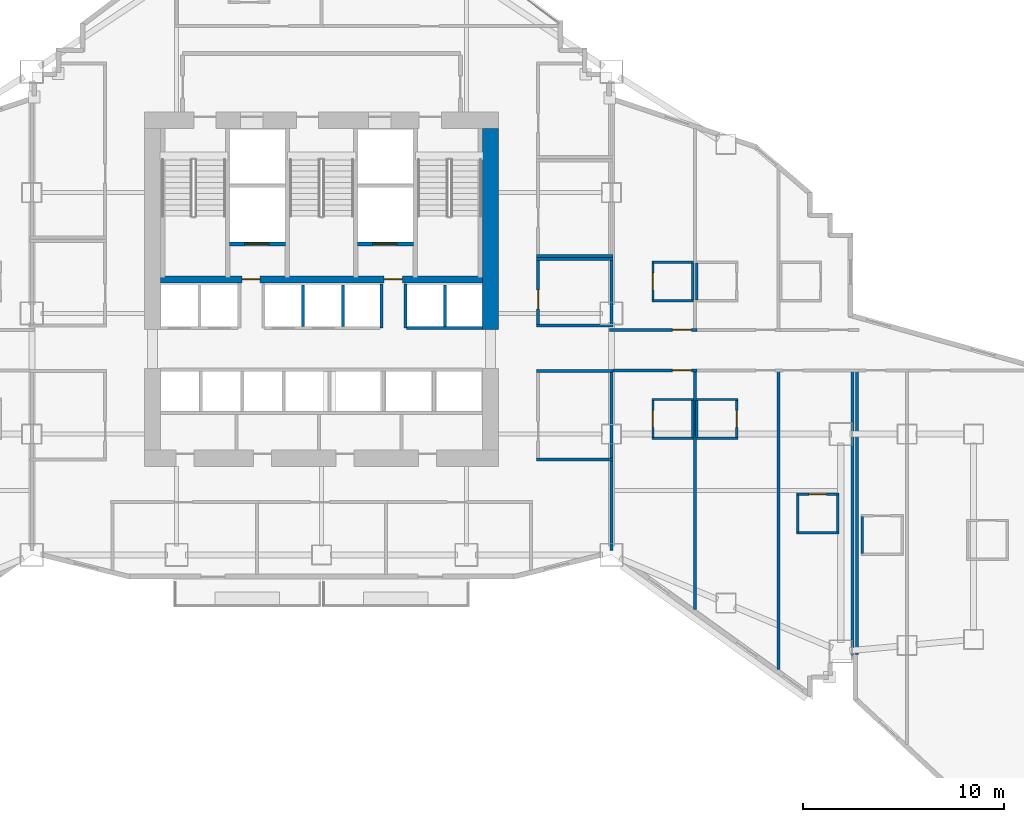
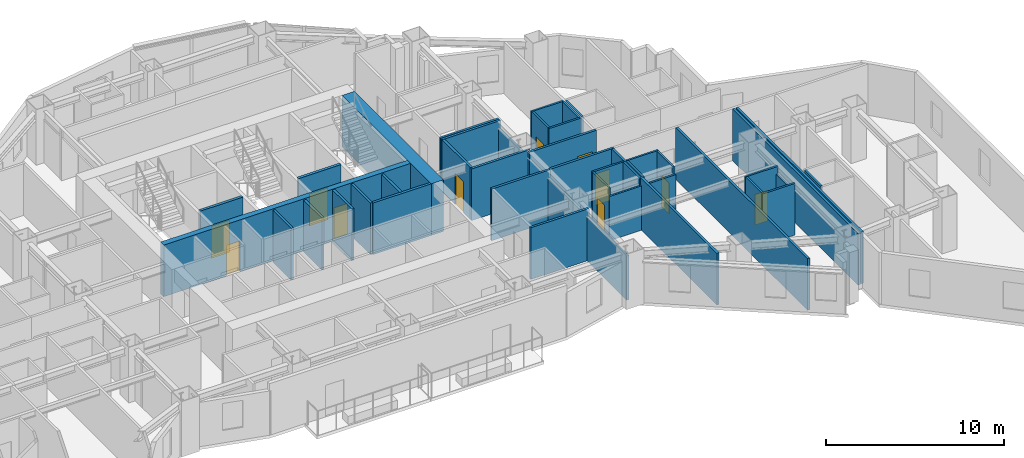
# One storey, part 10 of 16: 43 walls, 11 doors, 11 openings.
"""IFC4 building model written with IfcOpenShell, lengths in metres."""

from ifc_helpers import new_model, si_unit, direction, frame, frame_2d, origin, place, context, subcontext, project, spatial, rectangle, extrude, material, layer, layer_set, type_object, element, fill, save


model = new_model("IFC4")

# Units and contexts
model_context = context("Model", 3, precision=1e-05, world=origin(), true_north=direction((0.0, 1.0)))
body_context = subcontext(model_context, "Body", "Model", "MODEL_VIEW")
ifc_project = project(units=[si_unit("LENGTHUNIT", "METRE"), si_unit("AREAUNIT", "SQUARE_METRE"), si_unit("VOLUMEUNIT", "CUBIC_METRE"), si_unit("PLANEANGLEUNIT", "RADIAN"), si_unit("MASSUNIT", "GRAM", prefix="KILO")], contexts=[model_context])

# Site, building, storey
site_placement = place(None, origin())
site = spatial("IfcSite", under=ifc_project, at=site_placement, CompositionType="ELEMENT")
building_placement = place(site_placement, origin())
building = spatial("IfcBuilding", under=site, at=building_placement, Name="Haolan Belvedere Tower", CompositionType="ELEMENT")
storey_placement = place(building_placement, frame((0.0, 0.0, 85.60009765625)))
storey = spatial("IfcBuildingStorey", under=building, at=storey_placement, Name="L21", CompositionType="ELEMENT", Elevation=85.60009765625)

# Walls
ifc_material_1 = material(Name="Concrete C70/85", Category="concrete")
ifc_layer_1 = layer(ifc_material_1, 0.800048828125, Name="Concrete C70/85")
ifc_layer_set_1 = layer_set([ifc_layer_1], Name="Concrete C70/85")
wall_type_1 = type_object("IfcWallType", Name="WL-CORE-800", PredefinedType="SHEAR", material=ifc_layer_set_1)
wall_1_placement = place(storey_placement, frame((46.800048828125, 32.800048828125, 0.0), z_axis=(0.0, 0.0, 1.0), x_axis=(0.0, 1.0, 0.0)))
element("IfcWall", 1, at=wall_1_placement, inside=storey, type_object=wall_type_1, Name="L21 central core shear wall EN", PredefinedType="SHEAR", context=body_context, shape_type="SweptSolid", body=[
    extrude(rectangle(XDim=10.0, YDim=0.800048828125, at=frame_2d((5.0, 0.0))), origin(), (0.0, 0.0, 1.0), 3.539794921875),
])
ifc_material_2 = material(Name="Double gypsum acoustic stud partition", Category="masonry")
ifc_layer_2 = layer(ifc_material_2, 0.14990234375, Name="Double gypsum acoustic stud partition")
ifc_layer_set_2 = layer_set([ifc_layer_2], Name="Double gypsum acoustic stud partition")
wall_type_2 = type_object("IfcWallType", Name="WL-PART-150", PredefinedType="PARTITIONING", material=ifc_layer_set_2)
for number, where, z_axis, x_axis, name in (
    (2, (49.080078125, 36.300048828125, 0.0), (0.0, 0.0, 1.0), (1.0, 0.0, 0.0), "L21 interior partition IW-L21-AWC-N"),
    (3, (49.080078125, 33.0, 0.0), (0.0, 0.0, 1.0), (1.0, 0.0, 0.0), "L21 interior partition IW-L21-AWC-S"),
):
    element("IfcWall", number, at=place(storey_placement, frame(where, z_axis=z_axis, x_axis=x_axis)), inside=storey, type_object=wall_type_2, Name=name, PredefinedType="PARTITIONING", context=body_context, shape_type="SweptSolid", body=[
        extrude(rectangle(XDim=3.7998046875, YDim=0.14990234375, at=frame_2d((1.89990234375, 0.0))), origin(), (0.0, 0.0, 1.0), 3.539794921875),
    ])

# Wall, opening, door
wall_2_placement = place(storey_placement, frame((49.159912109375, 33.06005859375, 0.0), z_axis=(0.0, 0.0, 1.0), x_axis=(0.0, 1.0, 0.0)))
wall_2 = element("IfcWall", 4, at=wall_2_placement, inside=storey, type_object=wall_type_2, Name="L21 interior partition IW-L21-AWC-W", PredefinedType="PARTITIONING", context=body_context, shape_type="SweptSolid", body=[
    extrude(rectangle(XDim=3.179931640625, YDim=0.14990234375, at=frame_2d((1.58984375, 0.0))), origin(), (0.0, 0.0, 1.0), 3.539794921875),
])
opening_1_placement = place(wall_2_placement, frame((0.760009765625, 0.0, 0.0)))
opening_1 = element("IfcOpeningElement", 5, at=opening_1_placement, cuts=wall_2, Name="Opening ID-03", PredefinedType="OPENING", context=body_context, shape_type="SweptSolid", body=[
    extrude(rectangle(XDim=0.949951171875, YDim=2.1201171875, at=frame_2d((0.47509765625, 1.06005859375))), frame((0.0, 0.0849609375, 0.0), z_axis=(0.0, -1.0, 0.0), x_axis=(1.0, 0.0, 0.0)), (0.0, 0.0, 1.0), 0.169921875),
])
ifc_material_3 = material(Name="Painted solid-core timber", Category="wood")
door_type_1 = type_object("IfcDoorType", Name="DR-INT-950", OperationType="NOTDEFINED", PredefinedType="DOOR", material=ifc_material_3)
door_1_placement = place(opening_1_placement, origin())
door_1 = element("IfcDoor", 6, at=door_1_placement, inside=storey, type_object=door_type_1, Name="L21 door ID-L21-AWC", OperationType="SINGLE_SWING_LEFT", OverallHeight=2.1201171875, OverallWidth=0.949951171875, PredefinedType="DOOR", context=body_context, shape_type="SweptSolid", body=[
    extrude(rectangle(XDim=0.949951171875, YDim=2.1201171875, at=frame_2d((0.47509765625, 1.06005859375))), frame((0.0, 0.02490234375, 0.0), z_axis=(0.0, -1.0, 0.0), x_axis=(1.0, 0.0, 0.0)), (0.0, 0.0, 1.0), 0.050048828125),
])
fill(opening_1, door_1)

# Walls
wall_3_placement = place(storey_placement, frame((52.800048828125, 33.06005859375, 0.0), z_axis=(0.0, 0.0, 1.0), x_axis=(0.0, 1.0, 0.0)))
element("IfcWall", 7, at=wall_3_placement, inside=storey, type_object=wall_type_2, Name="L21 interior partition IW-L21-AWC-E", PredefinedType="PARTITIONING", context=body_context, shape_type="SweptSolid", body=[
    extrude(rectangle(XDim=3.179931640625, YDim=0.14990234375, at=frame_2d((1.58984375, 0.0))), origin(), (0.0, 0.0, 1.0), 3.036865234375),
])
for number, where, z_axis, x_axis, name in (
    (8, (49.080078125, 36.4599609375, 0.0), (0.0, 0.0, 1.0), (1.0, 0.0, 0.0), "L21 interior partition IW-L21-STY-S"),
    (9, (49.080078125, 30.72998046875, 0.0), (0.0, 0.0, 1.0), (1.0, 0.0, 0.0), "L21 interior partition IW-L21-PKTE-N"),
    (10, (49.080078125, 26.35009765625, 0.0), (0.0, 0.0, 1.0), (1.0, 0.0, 0.0), "L21 interior partition IW-L21-PKTE-S"),
):
    element("IfcWall", number, at=place(storey_placement, frame(where, z_axis=z_axis, x_axis=x_axis)), inside=storey, type_object=wall_type_2, Name=name, PredefinedType="PARTITIONING", context=body_context, shape_type="SweptSolid", body=[
        extrude(rectangle(XDim=3.7998046875, YDim=0.14990234375, at=frame_2d((1.89990234375, 0.0))), origin(), (0.0, 0.0, 1.0), 3.539794921875),
    ])
wall_4_placement = place(storey_placement, frame((52.800048828125, 26.409912109375, 0.0), z_axis=(0.0, 0.0, 1.0), x_axis=(0.0, 1.0, 0.0)))
element("IfcWall", 11, at=wall_4_placement, inside=storey, type_object=wall_type_2, Name="L21 interior partition IW-L21-PKTE-E", PredefinedType="PARTITIONING", context=body_context, shape_type="SweptSolid", body=[
    extrude(rectangle(XDim=4.260009765625, YDim=0.14990234375, at=frame_2d((2.1298828125, 0.0))), origin(), (0.0, 0.0, 1.0), 3.036865234375),
])

# Wall, opening, door
wall_5_placement = place(storey_placement, frame((52.699951171875, 32.780029296875, 0.0), z_axis=(0.0, 0.0, 1.0), x_axis=(1.0, 0.0, 0.0)))
wall_5 = element("IfcWall", 12, at=wall_5_placement, inside=storey, type_object=wall_type_2, Name="L21 interior partition IW-L21-T4N1-S", PredefinedType="PARTITIONING", context=body_context, shape_type="SweptSolid", body=[
    extrude(rectangle(XDim=4.35009765625, YDim=0.14990234375, at=frame_2d((2.175048828125, 0.0))), origin(), (0.0, 0.0, 1.0), 3.539794921875),
])
opening_2_placement = place(wall_5_placement, frame((3.1298828125, 0.0, 0.0)))
opening_2 = element("IfcOpeningElement", 13, at=opening_2_placement, cuts=wall_5, Name="Opening ID-02", PredefinedType="OPENING", context=body_context, shape_type="SweptSolid", body=[
    extrude(rectangle(XDim=0.949951171875, YDim=2.14990234375, at=frame_2d((0.47509765625, 1.074951171875))), frame((0.0, 0.0849609375, 0.0), z_axis=(0.0, -1.0, 0.0), x_axis=(1.0, 0.0, 0.0)), (0.0, 0.0, 1.0), 0.169921875),
])
ifc_material_4 = material(Name="Acoustic oak veneer fire-rated timber", Category="wood")
door_type_2 = type_object("IfcDoorType", Name="DR-GUEST-950", OperationType="NOTDEFINED", PredefinedType="DOOR", material=ifc_material_4)
door_2_placement = place(opening_2_placement, origin())
door_2 = element("IfcDoor", 14, at=door_2_placement, inside=storey, type_object=door_type_2, Name="L21 door ID-L21-T4N1-ENT", OperationType="SINGLE_SWING_LEFT", OverallHeight=2.14990234375, OverallWidth=0.949951171875, PredefinedType="DOOR", context=body_context, shape_type="SweptSolid", body=[
    extrude(rectangle(XDim=0.949951171875, YDim=2.14990234375, at=frame_2d((0.47509765625, 1.074951171875))), frame((0.0, 0.02490234375, 0.0), z_axis=(0.0, -1.0, 0.0), x_axis=(1.0, 0.0, 0.0)), (0.0, 0.0, 1.0), 0.050048828125),
])
fill(opening_2, door_2)

wall_6_placement = place(storey_placement, frame((52.882080078125, 30.77001953125, 0.0), z_axis=(0.0, 0.0, 1.0), x_axis=(1.0, 0.0, 0.0)))
wall_6 = element("IfcWall", 15, at=wall_6_placement, inside=storey, type_object=wall_type_2, Name="L21 interior partition IW-L21-T4S1-N", PredefinedType="PARTITIONING", context=body_context, shape_type="SweptSolid", body=[
    extrude(rectangle(XDim=4.16796875, YDim=0.14990234375, at=frame_2d((2.083984375, 0.0))), origin(), (0.0, 0.0, 1.0), 3.539794921875),
])
opening_3_placement = place(wall_6_placement, frame((3.904541015625, 0.0, 0.0), z_axis=(0.0, 0.0, 1.0), x_axis=(-1.0, 0.0, 0.0)))
opening_3 = element("IfcOpeningElement", 16, at=opening_3_placement, cuts=wall_6, Name="Opening ID-02", PredefinedType="OPENING", context=body_context, shape_type="SweptSolid", body=[
    extrude(rectangle(XDim=0.949951171875, YDim=2.14990234375, at=frame_2d((0.47509765625, 1.074951171875))), frame((0.0, 0.0849609375, 0.0), z_axis=(0.0, -1.0, 0.0), x_axis=(1.0, 0.0, 0.0)), (0.0, 0.0, 1.0), 0.169921875),
])
door_3_placement = place(opening_3_placement, origin())
door_3 = element("IfcDoor", 17, at=door_3_placement, inside=storey, type_object=door_type_2, Name="L21 door ID-L21-T4S1-ENT", OperationType="SINGLE_SWING_RIGHT", OverallHeight=2.14990234375, OverallWidth=0.949951171875, PredefinedType="DOOR", context=body_context, shape_type="SweptSolid", body=[
    extrude(rectangle(XDim=0.949951171875, YDim=2.14990234375, at=frame_2d((0.47509765625, 1.074951171875))), frame((0.0, 0.02490234375, 0.0), z_axis=(0.0, -1.0, 0.0), x_axis=(1.0, 0.0, 0.0)), (0.0, 0.0, 1.0), 0.050048828125),
])
fill(opening_3, door_3)

# Walls
wall_7_placement = place(storey_placement, frame((52.800048828125, 21.818603515625, 0.0), z_axis=(0.0, 0.0, 1.0), x_axis=(0.0, 1.0, 0.0)))
element("IfcWall", 18, at=wall_7_placement, inside=storey, type_object=wall_type_2, Name="L21 interior partition IW-L21-T4S1-W", PredefinedType="PARTITIONING", context=body_context, shape_type="SweptSolid", body=[
    extrude(rectangle(XDim=4.471435546875, YDim=0.14990234375, at=frame_2d((2.23583984375, 0.0))), origin(), (0.0, 0.0, 1.0), 3.036865234375),
])
wall_8_placement = place(storey_placement, frame((56.949951171875, 18.889404296875, 0.0), z_axis=(0.0, 0.0, 1.0), x_axis=(0.0, 1.0, 0.0)))
element("IfcWall", 19, at=wall_8_placement, inside=storey, type_object=wall_type_2, Name="L21 interior partition IW-L21-T4S1-E", PredefinedType="PARTITIONING", context=body_context, shape_type="SweptSolid", body=[
    extrude(rectangle(XDim=11.820556640625, YDim=0.14990234375, at=frame_2d((5.91015625, 0.0))), origin(), (0.0, 0.0, 1.0), 3.539794921875),
])
wall_9_placement = place(storey_placement, frame((61.10009765625, 15.9013671875, 0.0), z_axis=(0.0, 0.0, 1.0), x_axis=(0.0, 1.0, 0.0)))
element("IfcWall", 20, at=wall_9_placement, inside=storey, type_object=wall_type_2, Name="L21 interior partition IW-L21-T4S2-E", PredefinedType="PARTITIONING", context=body_context, shape_type="SweptSolid", body=[
    extrude(rectangle(XDim=14.80859375, YDim=0.14990234375, at=frame_2d((7.404296875, 0.0))), origin(), (0.0, 0.0, 1.0), 3.539794921875),
])
wall_10_placement = place(storey_placement, frame((65.0, 16.64208984375, 0.0), z_axis=(0.0, 0.0, 1.0), x_axis=(0.0, 1.0, 0.0)))
element("IfcWall", 21, at=wall_10_placement, inside=storey, type_object=wall_type_2, Name="L21 interior partition IW-L21-T4S3-E", PredefinedType="PARTITIONING", context=body_context, shape_type="SweptSolid", body=[
    extrude(rectangle(XDim=14.06787109375, YDim=0.14990234375, at=frame_2d((7.033935546875, 0.0))), origin(), (0.0, 0.0, 1.0), 3.539794921875),
])
wall_11_placement = place(storey_placement, frame((64.780029296875, 16.612060546875, 0.0), z_axis=(0.0, 0.0, 1.0), x_axis=(0.0, 1.0, 0.0)))
element("IfcWall", 22, at=wall_11_placement, inside=storey, type_object=wall_type_2, Name="L21 interior partition IW-L21-T5S1-W", PredefinedType="PARTITIONING", context=body_context, shape_type="SweptSolid", body=[
    extrude(rectangle(XDim=14.097900390625, YDim=0.14990234375, at=frame_2d((7.048828125, 0.0))), origin(), (0.0, 0.0, 1.0), 3.539794921875),
])
ifc_material_5 = material(Name="Gypsum fire shaftwall assembly", Category="masonry")
ifc_layer_3 = layer(ifc_material_5, 0.1650390625, Name="Gypsum fire shaftwall assembly")
ifc_layer_set_3 = layer_set([ifc_layer_3], Name="Gypsum fire shaftwall assembly")
wall_type_3 = type_object("IfcWallType", Name="WL-SHAFT-160", PredefinedType="SOLIDWALL", material=ifc_layer_set_3)
for number, where, z_axis, x_axis, name in (
    (23, (41.3701171875, 32.8798828125, 0.0), (0.0, 0.0, 1.0), (0.0, 1.0, 0.0), "L21 interior partition IW-L21-SVP-W-SV2"),
    (24, (42.570068359375, 32.8798828125, 0.0), (0.0, 0.0, 1.0), (0.0, 1.0, 0.0), "L21 interior partition IW-L21-SVP-E-SV2"),
):
    element("IfcWall", number, at=place(storey_placement, frame(where, z_axis=z_axis, x_axis=x_axis)), inside=storey, type_object=wall_type_3, Name=name, PredefinedType="SOLIDWALL", context=body_context, shape_type="SweptSolid", body=[
        extrude(rectangle(XDim=2.170166015625, YDim=0.14990234375, at=frame_2d((1.0849609375, 0.0))), origin(), (0.0, 0.0, 1.0), 3.539794921875),
    ])
wall_12_placement = place(storey_placement, frame((42.6298828125, 32.8798828125, 0.0), z_axis=(0.0, 0.0, 1.0), x_axis=(1.0, 0.0, 0.0)))
element("IfcWall", 25, at=wall_12_placement, inside=storey, type_object=wall_type_3, Name="L21 interior partition IW-L21-ROW-PN3", PredefinedType="SOLIDWALL", context=body_context, shape_type="SweptSolid", body=[
    extrude(rectangle(XDim=3.77001953125, YDim=0.159912109375, at=frame_2d((1.885009765625, 0.0))), origin(), (0.0, 0.0, 1.0), 3.539794921875),
])
for number, where, z_axis, x_axis, name in (
    (26, (37.47998046875, 32.949951171875, 0.0), (0.0, 0.0, 1.0), (0.0, 1.0, 0.0), "L21 interior partition IW-L21-DIV-PL3"),
    (27, (39.469970703125, 32.949951171875, 0.0), (0.0, 0.0, 1.0), (0.0, 1.0, 0.0), "L21 interior partition IW-L21-DIV-PL4"),
    (28, (44.530029296875, 32.949951171875, 0.0), (0.0, 0.0, 1.0), (0.0, 1.0, 0.0), "L21 interior partition IW-L21-DIV-PH2"),
):
    element("IfcWall", number, at=place(storey_placement, frame(where, z_axis=z_axis, x_axis=x_axis)), inside=storey, type_object=wall_type_3, Name=name, PredefinedType="SOLIDWALL", context=body_context, shape_type="SweptSolid", body=[
        extrude(rectangle(XDim=2.050048828125, YDim=0.14990234375, at=frame_2d((1.02490234375, 0.0))), origin(), (0.0, 0.0, 1.0), 3.539794921875),
    ])

# Wall, opening, door
ifc_material_6 = material(Name="Precast concrete C40/50", Category="concrete")
ifc_layer_4 = layer(ifc_material_6, 0.179931640625, Name="Precast concrete C40/50")
ifc_layer_set_4 = layer_set([ifc_layer_4], Name="Precast concrete C40/50")
wall_type_4 = type_object("IfcWallType", Name="WL-SHAFT-180", PredefinedType="SOLIDWALL", material=ifc_layer_set_4)
wall_13_placement = place(storey_placement, frame((33.8349609375, 37.050048828125, 0.0), z_axis=(0.0, 0.0, 1.0), x_axis=(1.0, 0.0, 0.0)))
wall_13 = element("IfcWall", 29, at=wall_13_placement, inside=storey, type_object=wall_type_4, Name="L21 interior partition IW-L21-SV1-S", PredefinedType="SOLIDWALL", context=body_context, shape_type="SweptSolid", body=[
    extrude(rectangle(XDim=2.77001953125, YDim=0.179931640625, at=frame_2d((1.385009765625, 0.0))), origin(), (0.0, 0.0, 1.0), 3.539794921875),
])
opening_4_placement = place(wall_13_placement, frame((1.945068359375, 0.0, 0.0), z_axis=(0.0, 0.0, 1.0), x_axis=(-1.0, 0.0, 0.0)))
opening_4 = element("IfcOpeningElement", 30, at=opening_4_placement, cuts=wall_13, Name="Opening LD-02", PredefinedType="OPENING", context=body_context, shape_type="SweptSolid", body=[
    extrude(rectangle(XDim=1.199951171875, YDim=2.199951171875, at=frame_2d((0.60009765625, 1.10009765625))), frame((0.0, 0.099853515625, 0.0), z_axis=(0.0, -1.0, 0.0), x_axis=(1.0, 0.0, 0.0)), (0.0, 0.0, 1.0), 0.199951171875),
])
ifc_material_7 = material(Name="Brushed champagne stainless steel 316L", Category="steel")
door_type_3 = type_object("IfcDoorType", Name="DR-LIFT-1200", OperationType="SLIDING_TO_RIGHT", PredefinedType="DOOR", material=ifc_material_7)
door_4_placement = place(opening_4_placement, origin())
door_4 = element("IfcDoor", 31, at=door_4_placement, inside=storey, type_object=door_type_3, Name="L21 door ID-L21-LD-SV1", OperationType="SLIDING_TO_RIGHT", OverallHeight=2.199951171875, OverallWidth=1.199951171875, PredefinedType="DOOR", context=body_context, shape_type="SweptSolid", body=[
    extrude(rectangle(XDim=1.199951171875, YDim=2.199951171875, at=frame_2d((0.60009765625, 1.10009765625))), frame((0.0, 0.02490234375, 0.0), z_axis=(0.0, -1.0, 0.0), x_axis=(1.0, 0.0, 0.0)), (0.0, 0.0, 1.0), 0.050048828125),
])
fill(opening_4, door_4)

wall_14_placement = place(storey_placement, frame((40.195068359375, 37.050048828125, 0.0), z_axis=(0.0, 0.0, 1.0), x_axis=(1.0, 0.0, 0.0)))
wall_14 = element("IfcWall", 32, at=wall_14_placement, inside=storey, type_object=wall_type_4, Name="L21 interior partition IW-L21-SV2-S", PredefinedType="SOLIDWALL", context=body_context, shape_type="SweptSolid", body=[
    extrude(rectangle(XDim=2.77001953125, YDim=0.179931640625, at=frame_2d((1.385009765625, 0.0))), origin(), (0.0, 0.0, 1.0), 3.539794921875),
])
opening_5_placement = place(wall_14_placement, frame((1.945068359375, 0.0, 0.0), z_axis=(0.0, 0.0, 1.0), x_axis=(-1.0, 0.0, 0.0)))
opening_5 = element("IfcOpeningElement", 33, at=opening_5_placement, cuts=wall_14, Name="Opening LD-02", PredefinedType="OPENING", context=body_context, shape_type="SweptSolid", body=[
    extrude(rectangle(XDim=1.199951171875, YDim=2.199951171875, at=frame_2d((0.60009765625, 1.10009765625))), frame((0.0, 0.099853515625, 0.0), z_axis=(0.0, -1.0, 0.0), x_axis=(1.0, 0.0, 0.0)), (0.0, 0.0, 1.0), 0.199951171875),
])
door_5_placement = place(opening_5_placement, origin())
door_5 = element("IfcDoor", 34, at=door_5_placement, inside=storey, type_object=door_type_3, Name="L21 door ID-L21-LD-SV2", OperationType="SLIDING_TO_RIGHT", OverallHeight=2.199951171875, OverallWidth=1.199951171875, PredefinedType="DOOR", context=body_context, shape_type="SweptSolid", body=[
    extrude(rectangle(XDim=1.199951171875, YDim=2.199951171875, at=frame_2d((0.60009765625, 1.10009765625))), frame((0.0, 0.02490234375, 0.0), z_axis=(0.0, -1.0, 0.0), x_axis=(1.0, 0.0, 0.0)), (0.0, 0.0, 1.0), 0.050048828125),
])
fill(opening_5, door_5)

# Wall, openings, doors
ifc_material_8 = material(Name="Concrete C60/75", Category="concrete")
ifc_layer_5 = layer(ifc_material_8, 0.360107421875, Name="Concrete C60/75")
ifc_layer_set_5 = layer_set([ifc_layer_5], Name="Concrete C60/75")
wall_type_5 = type_object("IfcWallType", Name="WL-WEB-350", PredefinedType="SHEAR", material=ifc_layer_set_5)
wall_15_placement = place(storey_placement, frame((30.39990234375, 35.2900390625, 0.0), z_axis=(0.0, 0.0, 1.0), x_axis=(1.0, 0.0, 0.0)))
wall_15 = element("IfcWall", 35, at=wall_15_placement, inside=storey, type_object=wall_type_5, Name="L21 central core internal shear web", PredefinedType="SHEAR", context=body_context, shape_type="SweptSolid", body=[
    extrude(rectangle(XDim=16.0, YDim=0.360107421875, at=frame_2d((8.0, 0.0))), origin(), (0.0, 0.0, 1.0), 3.539794921875),
])
opening_6_placement = place(wall_15_placement, frame((4.949951171875, 0.0, 0.0), z_axis=(0.0, 0.0, 1.0), x_axis=(-1.0, 0.0, 0.0)))
opening_6 = element("IfcOpeningElement", 36, at=opening_6_placement, cuts=wall_15, Name="Opening FD-05", PredefinedType="OPENING", context=body_context, shape_type="SweptSolid", body=[
    extrude(rectangle(XDim=0.89990234375, YDim=2.10009765625, at=frame_2d((0.449951171875, 1.050048828125))), frame((0.0, 0.18994140625, 0.0), z_axis=(0.0, -1.0, 0.0), x_axis=(1.0, 0.0, 0.0)), (0.0, 0.0, 1.0), 0.380126953125),
])
opening_7_placement = place(wall_15_placement, frame((12.010009765625, 0.0, 0.0), z_axis=(0.0, 0.0, 1.0), x_axis=(-1.0, 0.0, 0.0)))
opening_7 = element("IfcOpeningElement", 37, at=opening_7_placement, cuts=wall_15, Name="Opening FD-05", PredefinedType="OPENING", context=body_context, shape_type="SweptSolid", body=[
    extrude(rectangle(XDim=0.89990234375, YDim=2.10009765625, at=frame_2d((0.449951171875, 1.050048828125))), frame((0.0, 0.18994140625, 0.0), z_axis=(0.0, -1.0, 0.0), x_axis=(1.0, 0.0, 0.0)), (0.0, 0.0, 1.0), 0.380126953125),
])
ifc_material_9 = material(Name="Galvanised fire-rated steel", Category="steel")
door_type_4 = type_object("IfcDoorType", Name="DR-FD60-900", OperationType="NOTDEFINED", PredefinedType="DOOR", material=ifc_material_9)
door_6_placement = place(opening_6_placement, origin())
door_6 = element("IfcDoor", 38, at=door_6_placement, inside=storey, type_object=door_type_4, Name="L21 door CD-L21-SVL-SV1", OperationType="SINGLE_SWING_RIGHT", OverallHeight=2.10009765625, OverallWidth=0.89990234375, PredefinedType="DOOR", context=body_context, shape_type="SweptSolid", body=[
    extrude(rectangle(XDim=0.89990234375, YDim=2.10009765625, at=frame_2d((0.449951171875, 1.050048828125))), frame((0.0, 0.02490234375, 0.0), z_axis=(0.0, -1.0, 0.0), x_axis=(1.0, 0.0, 0.0)), (0.0, 0.0, 1.0), 0.050048828125),
])
fill(opening_6, door_6)
door_7_placement = place(opening_7_placement, origin())
door_7 = element("IfcDoor", 39, at=door_7_placement, inside=storey, type_object=door_type_4, Name="L21 door CD-L21-SVL-SV2", OperationType="SINGLE_SWING_RIGHT", OverallHeight=2.10009765625, OverallWidth=0.89990234375, PredefinedType="DOOR", context=body_context, shape_type="SweptSolid", body=[
    extrude(rectangle(XDim=0.89990234375, YDim=2.10009765625, at=frame_2d((0.449951171875, 1.050048828125))), frame((0.0, 0.02490234375, 0.0), z_axis=(0.0, -1.0, 0.0), x_axis=(1.0, 0.0, 0.0)), (0.0, 0.0, 1.0), 0.050048828125),
])
fill(opening_7, door_7)

# Walls
ifc_material_10 = material(Name="Moisture-resistant gypsum tile partition", Category="masonry")
ifc_layer_6 = layer(ifc_material_10, 0.1201171875, Name="Moisture-resistant gypsum tile partition")
ifc_layer_set_6 = layer_set([ifc_layer_6], Name="Moisture-resistant gypsum tile partition")
wall_type_6 = type_object("IfcWallType", Name="WL-WET-120", PredefinedType="PARTITIONING", material=ifc_layer_set_6)
for number, where, z_axis, x_axis, name in (
    (40, (54.81005859375, 36.14990234375, 0.0), (0.0, 0.0, 1.0), (1.0, 0.0, 0.0), "L21 interior partition IW-L21-T4N1-BN"),
    (41, (54.81005859375, 34.22998046875, 0.0), (0.0, 0.0, 1.0), (1.0, 0.0, 0.0), "L21 interior partition IW-L21-T4N1-BS"),
):
    element("IfcWall", number, at=place(storey_placement, frame(where, z_axis=z_axis, x_axis=x_axis)), inside=storey, type_object=wall_type_6, Name=name, PredefinedType="PARTITIONING", context=body_context, shape_type="SweptSolid", body=[
        extrude(rectangle(XDim=2.079833984375, YDim=0.1201171875, at=frame_2d((1.0400390625, 0.0))), origin(), (0.0, 0.0, 1.0), 3.539794921875),
    ])

# Wall, opening, door
wall_16_placement = place(storey_placement, frame((54.8701171875, 34.27490234375, 0.0), z_axis=(0.0, 0.0, 1.0), x_axis=(0.0, 1.0, 0.0)))
wall_16 = element("IfcWall", 42, at=wall_16_placement, inside=storey, type_object=wall_type_6, Name="L21 interior partition IW-L21-T4N1-BW", PredefinedType="PARTITIONING", context=body_context, shape_type="SweptSolid", body=[
    extrude(rectangle(XDim=1.830078125, YDim=0.1201171875, at=frame_2d((0.9150390625, 0.0))), origin(), (0.0, 0.0, 1.0), 3.539794921875),
])
opening_8_placement = place(wall_16_placement, frame((1.340087890625, 0.0, 0.0), z_axis=(0.0, 0.0, 1.0), x_axis=(-1.0, 0.0, 0.0)))
opening_8 = element("IfcOpeningElement", 43, at=opening_8_placement, cuts=wall_16, Name="Opening ID-05", PredefinedType="OPENING", context=body_context, shape_type="SweptSolid", body=[
    extrude(rectangle(XDim=0.85009765625, YDim=2.10009765625, at=frame_2d((0.425048828125, 1.050048828125))), frame((0.0, 0.070068359375, 0.0), z_axis=(0.0, -1.0, 0.0), x_axis=(1.0, 0.0, 0.0)), (0.0, 0.0, 1.0), 0.14013671875),
])
ifc_material_11 = material(Name="Moisture-resistant lacquered timber", Category="wood")
door_type_5 = type_object("IfcDoorType", Name="DR-BATH-850", OperationType="NOTDEFINED", PredefinedType="DOOR", material=ifc_material_11)
door_8_placement = place(opening_8_placement, origin())
door_8 = element("IfcDoor", 44, at=door_8_placement, inside=storey, type_object=door_type_5, Name="L21 door ID-L21-T4N1-BATH", OperationType="SINGLE_SWING_RIGHT", OverallHeight=2.10009765625, OverallWidth=0.85009765625, PredefinedType="DOOR", context=body_context, shape_type="SweptSolid", body=[
    extrude(rectangle(XDim=0.85009765625, YDim=2.10009765625, at=frame_2d((0.425048828125, 1.050048828125))), frame((0.0, 0.02490234375, 0.0), z_axis=(0.0, -1.0, 0.0), x_axis=(1.0, 0.0, 0.0)), (0.0, 0.0, 1.0), 0.050048828125),
])
fill(opening_8, door_8)

# Walls
for number, where, z_axis, x_axis, name in (
    (45, (56.85009765625, 34.27490234375, 0.0), (0.0, 0.0, 1.0), (0.0, 1.0, 0.0), "L21 interior partition IW-L21-T4N1-BE"),
    (46, (57.050048828125, 34.27490234375, 0.0), (0.0, 0.0, 1.0), (0.0, 1.0, 0.0), "L21 interior partition IW-L21-T4N2-BW"),
):
    element("IfcWall", number, at=place(storey_placement, frame(where, z_axis=z_axis, x_axis=x_axis)), inside=storey, type_object=wall_type_6, Name=name, PredefinedType="PARTITIONING", context=body_context, shape_type="SweptSolid", body=[
        extrude(rectangle(XDim=1.830078125, YDim=0.1201171875, at=frame_2d((0.9150390625, 0.0))), origin(), (0.0, 0.0, 1.0), 3.539794921875),
    ])
wall_17_placement = place(storey_placement, frame((54.81005859375, 29.320068359375, 0.0), z_axis=(0.0, 0.0, 1.0), x_axis=(1.0, 0.0, 0.0)))
element("IfcWall", 47, at=wall_17_placement, inside=storey, type_object=wall_type_6, Name="L21 interior partition IW-L21-T4S1-BN", PredefinedType="PARTITIONING", context=body_context, shape_type="SweptSolid", body=[
    extrude(rectangle(XDim=2.079833984375, YDim=0.1201171875, at=frame_2d((1.0400390625, 0.0))), origin(), (0.0, 0.0, 1.0), 3.539794921875),
])
wall_18_placement = place(storey_placement, frame((54.81005859375, 27.39990234375, 0.0), z_axis=(0.0, 0.0, 1.0), x_axis=(1.0, 0.0, 0.0)))
element("IfcWall", 48, at=wall_18_placement, inside=storey, type_object=wall_type_6, Name="L21 interior partition IW-L21-T4S1-BS", PredefinedType="PARTITIONING", context=body_context, shape_type="SweptSolid", body=[
    extrude(rectangle(XDim=2.079833984375, YDim=0.1201171875, at=frame_2d((1.0400390625, 0.0))), origin(), (0.0, 0.0, 1.0), 3.036865234375),
])

# Wall, opening, door
wall_19_placement = place(storey_placement, frame((54.8701171875, 27.445068359375, 0.0), z_axis=(0.0, 0.0, 1.0), x_axis=(0.0, 1.0, 0.0)))
wall_19 = element("IfcWall", 49, at=wall_19_placement, inside=storey, type_object=wall_type_6, Name="L21 interior partition IW-L21-T4S1-BW", PredefinedType="PARTITIONING", context=body_context, shape_type="SweptSolid", body=[
    extrude(rectangle(XDim=1.829833984375, YDim=0.1201171875, at=frame_2d((0.9150390625, 0.0))), origin(), (0.0, 0.0, 1.0), 3.539794921875),
])
opening_9_placement = place(wall_19_placement, frame((1.340087890625, 0.0, 0.0), z_axis=(0.0, 0.0, 1.0), x_axis=(-1.0, 0.0, 0.0)))
opening_9 = element("IfcOpeningElement", 50, at=opening_9_placement, cuts=wall_19, Name="Opening ID-05", PredefinedType="OPENING", context=body_context, shape_type="SweptSolid", body=[
    extrude(rectangle(XDim=0.85009765625, YDim=2.10009765625, at=frame_2d((0.425048828125, 1.050048828125))), frame((0.0, 0.070068359375, 0.0), z_axis=(0.0, -1.0, 0.0), x_axis=(1.0, 0.0, 0.0)), (0.0, 0.0, 1.0), 0.14013671875),
])
door_9_placement = place(opening_9_placement, origin())
door_9 = element("IfcDoor", 51, at=door_9_placement, inside=storey, type_object=door_type_5, Name="L21 door ID-L21-T4S1-BATH", OperationType="SINGLE_SWING_LEFT", OverallHeight=2.10009765625, OverallWidth=0.85009765625, PredefinedType="DOOR", context=body_context, shape_type="SweptSolid", body=[
    extrude(rectangle(XDim=0.85009765625, YDim=2.10009765625, at=frame_2d((0.425048828125, 1.050048828125))), frame((0.0, 0.02490234375, 0.0), z_axis=(0.0, -1.0, 0.0), x_axis=(1.0, 0.0, 0.0)), (0.0, 0.0, 1.0), 0.050048828125),
])
fill(opening_9, door_9)

# Walls
wall_20_placement = place(storey_placement, frame((56.85009765625, 27.445068359375, 0.0), z_axis=(0.0, 0.0, 1.0), x_axis=(0.0, 1.0, 0.0)))
element("IfcWall", 52, at=wall_20_placement, inside=storey, type_object=wall_type_6, Name="L21 interior partition IW-L21-T4S1-BE", PredefinedType="PARTITIONING", context=body_context, shape_type="SweptSolid", body=[
    extrude(rectangle(XDim=1.829833984375, YDim=0.1201171875, at=frame_2d((0.9150390625, 0.0))), origin(), (0.0, 0.0, 1.0), 3.539794921875),
])
wall_21_placement = place(storey_placement, frame((57.010009765625, 29.320068359375, 0.0), z_axis=(0.0, 0.0, 1.0), x_axis=(1.0, 0.0, 0.0)))
element("IfcWall", 53, at=wall_21_placement, inside=storey, type_object=wall_type_6, Name="L21 interior partition IW-L21-T4S2-BN", PredefinedType="PARTITIONING", context=body_context, shape_type="SweptSolid", body=[
    extrude(rectangle(XDim=2.080078125, YDim=0.1201171875, at=frame_2d((1.0400390625, 0.0))), origin(), (0.0, 0.0, 1.0), 3.539794921875),
])
wall_22_placement = place(storey_placement, frame((57.010009765625, 27.39990234375, 0.0), z_axis=(0.0, 0.0, 1.0), x_axis=(1.0, 0.0, 0.0)))
element("IfcWall", 54, at=wall_22_placement, inside=storey, type_object=wall_type_6, Name="L21 interior partition IW-L21-T4S2-BS", PredefinedType="PARTITIONING", context=body_context, shape_type="SweptSolid", body=[
    extrude(rectangle(XDim=2.080078125, YDim=0.1201171875, at=frame_2d((1.0400390625, 0.0))), origin(), (0.0, 0.0, 1.0), 3.036865234375),
])
wall_23_placement = place(storey_placement, frame((57.050048828125, 27.445068359375, 0.0), z_axis=(0.0, 0.0, 1.0), x_axis=(0.0, 1.0, 0.0)))
element("IfcWall", 55, at=wall_23_placement, inside=storey, type_object=wall_type_6, Name="L21 interior partition IW-L21-T4S2-BW", PredefinedType="PARTITIONING", context=body_context, shape_type="SweptSolid", body=[
    extrude(rectangle(XDim=1.829833984375, YDim=0.1201171875, at=frame_2d((0.9150390625, 0.0))), origin(), (0.0, 0.0, 1.0), 3.539794921875),
])

# Wall, opening, door
wall_24_placement = place(storey_placement, frame((59.030029296875, 27.445068359375, 0.0), z_axis=(0.0, 0.0, 1.0), x_axis=(0.0, 1.0, 0.0)))
wall_24 = element("IfcWall", 56, at=wall_24_placement, inside=storey, type_object=wall_type_6, Name="L21 interior partition IW-L21-T4S2-BE", PredefinedType="PARTITIONING", context=body_context, shape_type="SweptSolid", body=[
    extrude(rectangle(XDim=1.829833984375, YDim=0.1201171875, at=frame_2d((0.9150390625, 0.0))), origin(), (0.0, 0.0, 1.0), 3.539794921875),
])
opening_10_placement = place(wall_24_placement, frame((0.489990234375, 0.0, 0.0)))
opening_10 = element("IfcOpeningElement", 57, at=opening_10_placement, cuts=wall_24, Name="Opening ID-05", PredefinedType="OPENING", context=body_context, shape_type="SweptSolid", body=[
    extrude(rectangle(XDim=0.85009765625, YDim=2.10009765625, at=frame_2d((0.425048828125, 1.050048828125))), frame((0.0, 0.070068359375, 0.0), z_axis=(0.0, -1.0, 0.0), x_axis=(1.0, 0.0, 0.0)), (0.0, 0.0, 1.0), 0.14013671875),
])
door_10_placement = place(opening_10_placement, origin())
door_10 = element("IfcDoor", 58, at=door_10_placement, inside=storey, type_object=door_type_5, Name="L21 door ID-L21-T4S2-BATH", OperationType="SINGLE_SWING_RIGHT", OverallHeight=2.10009765625, OverallWidth=0.85009765625, PredefinedType="DOOR", context=body_context, shape_type="SweptSolid", body=[
    extrude(rectangle(XDim=0.85009765625, YDim=2.10009765625, at=frame_2d((0.425048828125, 1.050048828125))), frame((0.0, 0.02490234375, 0.0), z_axis=(0.0, -1.0, 0.0), x_axis=(1.0, 0.0, 0.0)), (0.0, 0.0, 1.0), 0.050048828125),
])
fill(opening_10, door_10)

wall_25_placement = place(storey_placement, frame((62.008056640625, 24.610107421875, 0.0), z_axis=(0.0, 0.0, 1.0), x_axis=(1.0, 0.0, 0.0)))
wall_25 = element("IfcWall", 59, at=wall_25_placement, inside=storey, type_object=wall_type_6, Name="L21 interior partition IW-L21-T4S3-BN", PredefinedType="PARTITIONING", context=body_context, shape_type="SweptSolid", body=[
    extrude(rectangle(XDim=2.099853515625, YDim=0.1201171875, at=frame_2d((1.0498046875, 0.0))), origin(), (0.0, 0.0, 1.0), 3.539794921875),
])
opening_11_placement = place(wall_25_placement, frame((1.47509765625, 0.0, 0.0), z_axis=(0.0, 0.0, 1.0), x_axis=(-1.0, 0.0, 0.0)))
opening_11 = element("IfcOpeningElement", 60, at=opening_11_placement, cuts=wall_25, Name="Opening ID-05", PredefinedType="OPENING", context=body_context, shape_type="SweptSolid", body=[
    extrude(rectangle(XDim=0.85009765625, YDim=2.10009765625, at=frame_2d((0.425048828125, 1.050048828125))), frame((0.0, 0.070068359375, 0.0), z_axis=(0.0, -1.0, 0.0), x_axis=(1.0, 0.0, 0.0)), (0.0, 0.0, 1.0), 0.14013671875),
])
door_11_placement = place(opening_11_placement, origin())
door_11 = element("IfcDoor", 61, at=door_11_placement, inside=storey, type_object=door_type_5, Name="L21 door ID-L21-T4S3-BATH", OperationType="SINGLE_SWING_LEFT", OverallHeight=2.10009765625, OverallWidth=0.85009765625, PredefinedType="DOOR", context=body_context, shape_type="SweptSolid", body=[
    extrude(rectangle(XDim=0.85009765625, YDim=2.10009765625, at=frame_2d((0.425048828125, 1.050048828125))), frame((0.0, 0.02490234375, 0.0), z_axis=(0.0, -1.0, 0.0), x_axis=(1.0, 0.0, 0.0)), (0.0, 0.0, 1.0), 0.050048828125),
])
fill(opening_11, door_11)

# Walls
wall_26_placement = place(storey_placement, frame((62.008056640625, 22.68994140625, 0.0), z_axis=(0.0, 0.0, 1.0), x_axis=(1.0, 0.0, 0.0)))
element("IfcWall", 62, at=wall_26_placement, inside=storey, type_object=wall_type_6, Name="L21 interior partition IW-L21-T4S3-BS", PredefinedType="PARTITIONING", context=body_context, shape_type="SweptSolid", body=[
    extrude(rectangle(XDim=2.099853515625, YDim=0.1201171875, at=frame_2d((1.0498046875, 0.0))), origin(), (0.0, 0.0, 1.0), 3.539794921875),
])
wall_27_placement = place(storey_placement, frame((62.068115234375, 22.735107421875, 0.0), z_axis=(0.0, 0.0, 1.0), x_axis=(0.0, 1.0, 0.0)))
element("IfcWall", 63, at=wall_27_placement, inside=storey, type_object=wall_type_6, Name="L21 interior partition IW-L21-T4S3-BW", PredefinedType="PARTITIONING", context=body_context, shape_type="SweptSolid", body=[
    extrude(rectangle(XDim=1.829833984375, YDim=0.1201171875, at=frame_2d((0.9150390625, 0.0))), origin(), (0.0, 0.0, 1.0), 3.539794921875),
])
wall_28_placement = place(storey_placement, frame((64.048095703125, 22.735107421875, 0.0), z_axis=(0.0, 0.0, 1.0), x_axis=(0.0, 1.0, 0.0)))
element("IfcWall", 64, at=wall_28_placement, inside=storey, type_object=wall_type_6, Name="L21 interior partition IW-L21-T4S3-BE", PredefinedType="PARTITIONING", context=body_context, shape_type="SweptSolid", body=[
    extrude(rectangle(XDim=1.829833984375, YDim=0.1201171875, at=frame_2d((0.9150390625, 0.0))), origin(), (0.0, 0.0, 1.0), 3.036865234375),
])
wall_29_placement = place(storey_placement, frame((65.26708984375, 21.666015625, 0.0), z_axis=(0.0, 0.0, 1.0), x_axis=(0.0, 1.0, 0.0)))
element("IfcWall", 65, at=wall_29_placement, inside=storey, type_object=wall_type_6, Name="L21 interior partition IW-L21-T5S1-BW", PredefinedType="PARTITIONING", context=body_context, shape_type="SweptSolid", body=[
    extrude(rectangle(XDim=1.830078125, YDim=0.1201171875, at=frame_2d((0.9150390625, 0.0))), origin(), (0.0, 0.0, 1.0), 3.539794921875),
])

save(model, "model.ifc")
